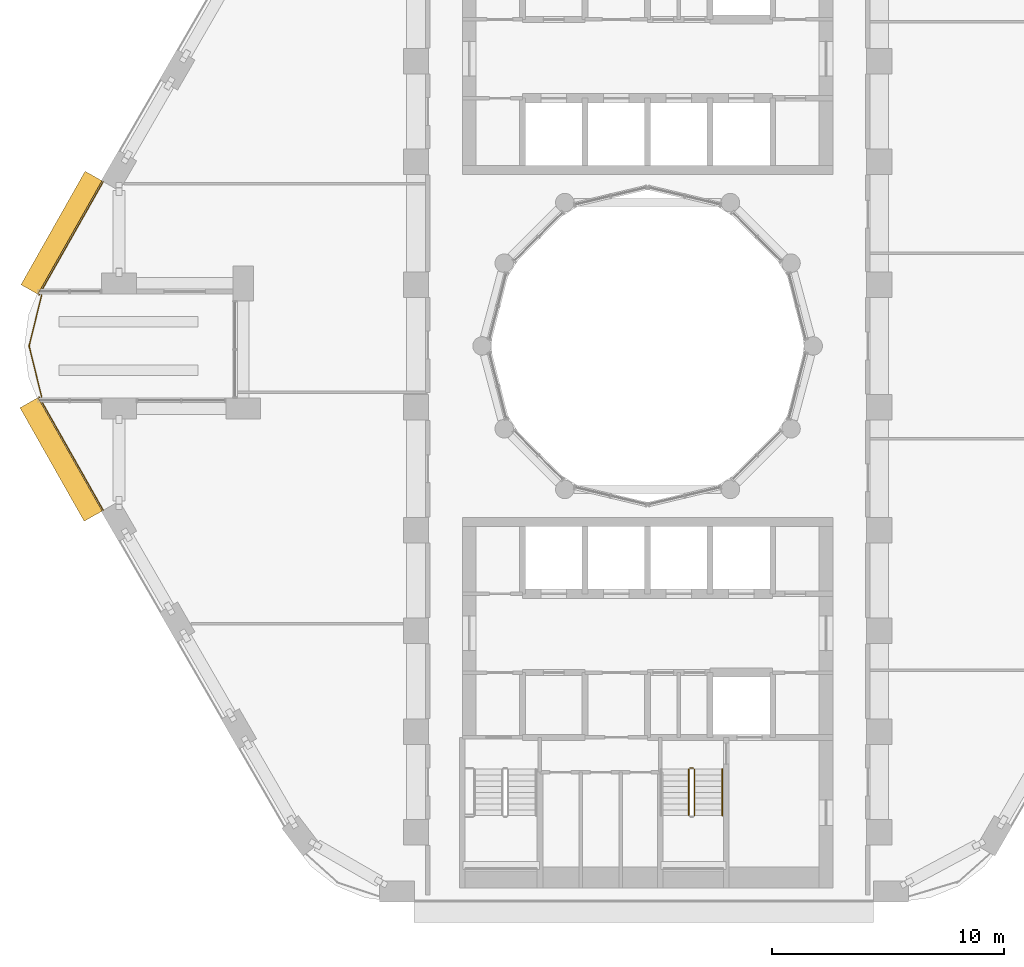
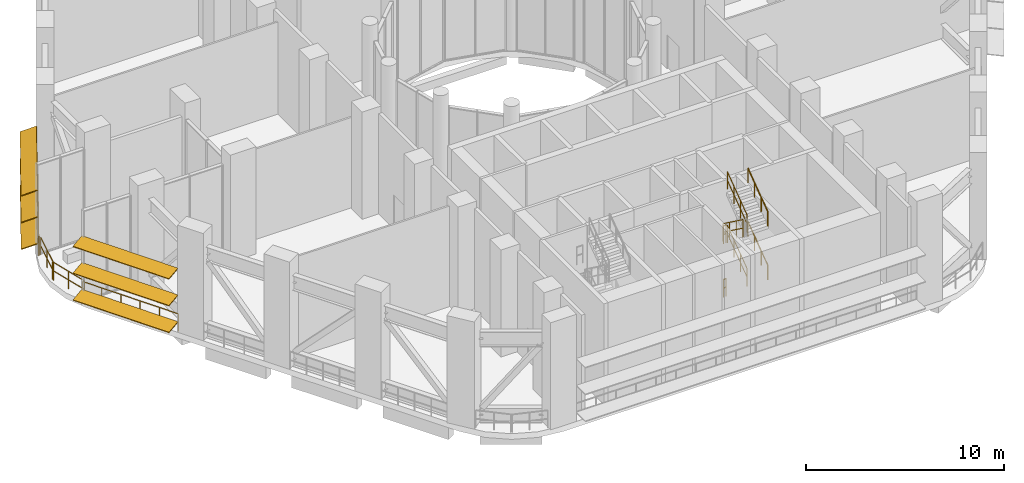
# One storey, part 17 of 20: 11 railings, 6 shading devices.
"""IFC4 building model written with IfcOpenShell, lengths in metres."""

from ifc_helpers import new_model, si_unit, direction, frame, origin, origin_2d, place, context, subcontext, project, spatial, rectangle, circle, extrude, material, material_profile, profile_set, type_object, element, save


model = new_model("IFC4")

# Units and contexts
model_context = context("Model", 3, precision=1e-05, world=origin(), true_north=direction((0.0, 1.0)))
body_context = subcontext(model_context, "Body", "Model", "MODEL_VIEW")
ifc_project = project(units=[si_unit("LENGTHUNIT", "METRE"), si_unit("AREAUNIT", "SQUARE_METRE"), si_unit("VOLUMEUNIT", "CUBIC_METRE"), si_unit("PLANEANGLEUNIT", "RADIAN"), si_unit("MASSUNIT", "GRAM", prefix="KILO")], contexts=[model_context])

# Site, building, storey
site_placement = place(None, origin())
site = spatial("IfcSite", under=ifc_project, at=site_placement, CompositionType="ELEMENT")
building_placement = place(site_placement, origin())
building = spatial("IfcBuilding", under=site, at=building_placement, Name="Nakaniwa Court", CompositionType="ELEMENT")
storey_placement = place(building_placement, frame((0.0, 0.0, 71.10009765625)))
storey = spatial("IfcBuildingStorey", under=building, at=storey_placement, Name="S1", CompositionType="ELEMENT", Elevation=71.10009765625)

# Railings
ifc_material_1 = material(Name="Black powder-coated steel flat bar balustrade S275", Category="steel")
railing_type_1 = type_object("IfcRailingType", Name="Black metal terrace guard 1100", PredefinedType="GUARDRAIL", material=ifc_material_1)
railing_1_placement = place(storey_placement, frame((56.497314453125, 87.099853515625, 0.0)))
element("IfcRailing", 1, at=railing_1_placement, inside=storey, type_object=railing_type_1, Name="S1 refuge band guard 14", PredefinedType="GUARDRAIL", context=body_context, shape_type="SweptSolid", body=[
    extrude(circle(Radius=0.02392578125, at=origin_2d()), frame((0.0, 0.0, 1.076171875), z_axis=(-0.492363204642, -0.870389840655, 0.0), x_axis=(0.870389840655, -0.492363204642, 0.0)), (0.0, 0.0, 1.0), 5.62646484375),
    extrude(circle(Radius=0.02392578125, at=origin_2d()), frame((0.0, 0.0, 0.550048828125), z_axis=(-0.492363204642, -0.870389840655, 0.0), x_axis=(0.870389840655, -0.492363204642, 0.0)), (0.0, 0.0, 1.0), 5.62646484375),
    extrude(circle(Radius=0.02099609375, at=origin_2d()), origin(), (0.0, 0.0, 1.0), 1.052001953125),
    extrude(circle(Radius=0.02099609375, at=origin_2d()), frame((-0.553955078125, -0.9794921875, 0.0)), (0.0, 0.0, 1.0), 1.052001953125),
    extrude(circle(Radius=0.02099609375, at=origin_2d()), frame((-1.108154296875, -1.958984375, 0.0)), (0.0, 0.0, 1.0), 1.052001953125),
    extrude(circle(Radius=0.02099609375, at=origin_2d()), frame((-1.662109375, -2.938232421875, 0.0)), (0.0, 0.0, 1.0), 1.052001953125),
    extrude(circle(Radius=0.02099609375, at=origin_2d()), frame((-2.21630859375, -3.917724609375, 0.0)), (0.0, 0.0, 1.0), 1.052001953125),
    extrude(circle(Radius=0.02099609375, at=origin_2d()), frame((-2.770263671875, -4.897216796875, 0.0)), (0.0, 0.0, 1.0), 1.052001953125),
])
railing_2_placement = place(storey_placement, frame((53.72705078125, 77.79736328125, 0.0)))
element("IfcRailing", 2, at=railing_2_placement, inside=storey, type_object=railing_type_1, Name="S1 refuge band guard 20", PredefinedType="GUARDRAIL", context=body_context, shape_type="SweptSolid", body=[
    extrude(circle(Radius=0.02392578125, at=origin_2d()), frame((0.0, 0.0, 1.076171875), z_axis=(0.492363204642, -0.870389840655, 0.0), x_axis=(0.870389840655, 0.492363204642, 0.0)), (0.0, 0.0, 1.0), 5.62646484375),
    extrude(circle(Radius=0.02392578125, at=origin_2d()), frame((0.0, 0.0, 0.550048828125), z_axis=(0.492363204642, -0.870389840655, 0.0), x_axis=(0.870389840655, 0.492363204642, 0.0)), (0.0, 0.0, 1.0), 5.62646484375),
    extrude(circle(Radius=0.02099609375, at=origin_2d()), origin(), (0.0, 0.0, 1.0), 1.052001953125),
    extrude(circle(Radius=0.02099609375, at=origin_2d()), frame((0.553955078125, -0.9794921875, 0.0)), (0.0, 0.0, 1.0), 1.052001953125),
    extrude(circle(Radius=0.02099609375, at=origin_2d()), frame((1.108154296875, -1.958984375, 0.0)), (0.0, 0.0, 1.0), 1.052001953125),
    extrude(circle(Radius=0.02099609375, at=origin_2d()), frame((1.662109375, -2.938232421875, 0.0)), (0.0, 0.0, 1.0), 1.052001953125),
    extrude(circle(Radius=0.02099609375, at=origin_2d()), frame((2.21630859375, -3.917724609375, 0.0)), (0.0, 0.0, 1.0), 1.052001953125),
    extrude(circle(Radius=0.02099609375, at=origin_2d()), frame((2.770263671875, -4.897216796875, 0.0)), (0.0, 0.0, 1.0), 1.052001953125),
])
railing_3_placement = place(storey_placement, frame((53.8359375, 82.20263671875, 0.0)))
element("IfcRailing", 3, at=railing_3_placement, inside=storey, type_object=railing_type_1, Name="S1 sky garden terrace 1 guard 1", PredefinedType="GUARDRAIL", context=body_context, shape_type="SweptSolid", body=[
    extrude(circle(Radius=0.02392578125, at=origin_2d()), frame((0.0, 0.0, 1.076171875), z_axis=(-0.238169012128, -0.971223723795, 0.0), x_axis=(0.971223723795, -0.238169012128, 0.0)), (0.0, 0.0, 1.0), 2.316650390625),
    extrude(circle(Radius=0.02392578125, at=origin_2d()), frame((0.0, 0.0, 0.550048828125), z_axis=(-0.238169012128, -0.971223723795, 0.0), x_axis=(0.971223723795, -0.238169012128, 0.0)), (0.0, 0.0, 1.0), 2.316650390625),
    extrude(circle(Radius=0.02099609375, at=origin_2d()), origin(), (0.0, 0.0, 1.0), 1.052001953125),
    extrude(circle(Radius=0.02099609375, at=origin_2d()), frame((-0.27587890625, -1.125, 0.0)), (0.0, 0.0, 1.0), 1.052001953125),
    extrude(circle(Radius=0.02099609375, at=origin_2d()), frame((-0.5517578125, -2.25, 0.0)), (0.0, 0.0, 1.0), 1.052001953125),
])
railing_4_placement = place(storey_placement, frame((53.2841796875, 80.04736328125, 0.0)))
element("IfcRailing", 4, at=railing_4_placement, inside=storey, type_object=railing_type_1, Name="S1 sky garden terrace 1 guard 2", PredefinedType="GUARDRAIL", context=body_context, shape_type="SweptSolid", body=[
    extrude(circle(Radius=0.02392578125, at=origin_2d()), frame((0.0, 0.0, 1.076171875), z_axis=(0.238169012128, -0.971223723795, 0.0), x_axis=(0.971223723795, 0.238169012128, 0.0)), (0.0, 0.0, 1.0), 2.316650390625),
    extrude(circle(Radius=0.02392578125, at=origin_2d()), frame((0.0, 0.0, 0.550048828125), z_axis=(0.238169012128, -0.971223723795, 0.0), x_axis=(0.971223723795, 0.238169012128, 0.0)), (0.0, 0.0, 1.0), 2.316650390625),
    extrude(circle(Radius=0.02099609375, at=origin_2d()), origin(), (0.0, 0.0, 1.0), 1.052001953125),
    extrude(circle(Radius=0.02099609375, at=origin_2d()), frame((0.27587890625, -1.125, 0.0)), (0.0, 0.0, 1.0), 1.052001953125),
    extrude(circle(Radius=0.02099609375, at=origin_2d()), frame((0.5517578125, -2.25, 0.0)), (0.0, 0.0, 1.0), 1.052001953125),
])

# Shading devices
ifc_material_2 = material(Name="Perforated charcoal ceramic louvre blade")
ifc_material_profile = material_profile(ifc_material_2, rectangle(XDim=0.89990234375, YDim=0.050048828125, at=origin_2d()), Name="Perforated ceramic louvre blade")
ifc_profile_set = profile_set([ifc_material_profile], Name="Perforated charcoal ceramic louvre blade")
shading_device_type = type_object("IfcShadingDeviceType", Name="Perforated ceramic louvre blade", PredefinedType="JALOUSIE", material=ifc_profile_set)
for number, where, z_axis, x_axis, name in (
    (5, (56.083251953125, 87.333984375, 0.5498046875), (-0.492363204642, -0.870389840655, 0.0), (0.804715474874, -0.455212447948, 0.38107037635), "S1 perforated ceramic louvre blade s14 1"),
    (6, (56.083251953125, 87.333984375, 2.199951171875), (-0.492363204642, -0.870389840655, 0.0), (0.804715474874, -0.455212447948, 0.38107037635), "S1 perforated ceramic louvre blade s14 2"),
    (7, (56.083251953125, 87.333984375, 3.849853515625), (-0.492363204642, -0.870389840655, 0.0), (0.804715474874, -0.455212447948, 0.38107037635), "S1 perforated ceramic louvre blade s14 3"),
    (8, (53.292236328125, 77.551513671875, 0.5498046875), (0.492363204642, -0.870389840655, 0.0), (0.862743936134, 0.488038059889, 0.132256390257), "S1 perforated ceramic louvre blade s20 1"),
    (9, (53.292236328125, 77.551513671875, 2.199951171875), (0.492363204642, -0.870389840655, 0.0), (0.862743936134, 0.488038059889, 0.132256390257), "S1 perforated ceramic louvre blade s20 2"),
    (10, (53.292236328125, 77.551513671875, 3.849853515625), (0.492363204642, -0.870389840655, 0.0), (0.862743936134, 0.488038059889, 0.132256390257), "S1 perforated ceramic louvre blade s20 3"),
):
    element("IfcShadingDevice", number, at=place(storey_placement, frame(where, z_axis=z_axis, x_axis=x_axis)), inside=storey, type_object=shading_device_type, Name=name, PredefinedType="JALOUSIE", context=body_context, shape_type="SweptSolid", body=[
        extrude(rectangle(XDim=0.89990234375, YDim=0.050048828125, at=origin_2d()), origin(), (0.0, 0.0, 1.0), 5.62646484375),
    ])

# Railings
ifc_material_3 = material(Name="Black powder coated steel guard", Category="steel")
railing_type_2 = type_object("IfcRailingType", Name="Stair guard 1100", PredefinedType="GUARDRAIL", material=ifc_material_3)
railing_5_placement = place(storey_placement, frame((82.02490234375, 59.72509765625, 1.833251953125)))
element("IfcRailing", 11, at=railing_5_placement, inside=storey, type_object=railing_type_2, Name="S1 ST4 stair guard 3", PredefinedType="GUARDRAIL", context=body_context, shape_type="SweptSolid", body=[
    extrude(circle(Radius=0.02392578125, at=origin_2d()), frame((0.0, 0.0, 1.076171875), z_axis=(0.0, 0.806426902644, 0.591333789573), x_axis=(-1.0, 0.0, 0.0)), (0.0, 0.0, 1.0), 2.47998046875),
    extrude(circle(Radius=0.02392578125, at=origin_2d()), frame((0.0, 0.0, 0.550048828125), z_axis=(0.0, 0.806426902644, 0.591333789573), x_axis=(-1.0, 0.0, 0.0)), (0.0, 0.0, 1.0), 2.47998046875),
    extrude(circle(Radius=0.02099609375, at=origin_2d()), origin(), (0.0, 0.0, 1.0), 1.052001953125),
    extrude(circle(Radius=0.02099609375, at=origin_2d()), frame((0.0, 0.666748046875, 0.48876953125)), (0.0, 0.0, 1.0), 1.052001953125),
    extrude(circle(Radius=0.02099609375, at=origin_2d()), frame((0.0, 1.333251953125, 0.977783203125)), (0.0, 0.0, 1.0), 1.052001953125),
    extrude(circle(Radius=0.02099609375, at=origin_2d()), frame((0.0, 2.0, 1.466552734375)), (0.0, 0.0, 1.0), 1.052001953125),
])
railing_6_placement = place(storey_placement, frame((81.824951171875, 61.77490234375, 3.2998046875)))
element("IfcRailing", 12, at=railing_6_placement, inside=storey, type_object=railing_type_2, Name="S1 ST4 stair guard 4", PredefinedType="GUARDRAIL", context=body_context, shape_type="SweptSolid", body=[
    extrude(circle(Radius=0.02392578125, at=origin_2d()), frame((0.0, 0.0, 1.076171875), z_axis=(1.0, 0.0, 0.0), x_axis=(0.0, 1.0, 0.0)), (0.0, 0.0, 1.0), 0.150146484375),
    extrude(circle(Radius=0.02392578125, at=origin_2d()), frame((0.0, 0.0, 0.550048828125), z_axis=(1.0, 0.0, 0.0), x_axis=(0.0, 1.0, 0.0)), (0.0, 0.0, 1.0), 0.150146484375),
    extrude(circle(Radius=0.02099609375, at=origin_2d()), origin(), (0.0, 0.0, 1.0), 1.052001953125),
    extrude(circle(Radius=0.02099609375, at=origin_2d()), frame((0.150146484375, 0.0, 0.0)), (0.0, 0.0, 1.0), 1.052001953125),
])
railing_7_placement = place(storey_placement, frame((81.77490234375, 61.72509765625, 3.483154296875)))
element("IfcRailing", 13, at=railing_7_placement, inside=storey, type_object=railing_type_2, Name="S1 ST4 stair guard 5", PredefinedType="GUARDRAIL", context=body_context, shape_type="SweptSolid", body=[
    extrude(circle(Radius=0.02392578125, at=origin_2d()), frame((0.0, 0.0, 1.076171875), z_axis=(0.0, -0.806379959628, 0.591397802423), x_axis=(1.0, 0.0, 0.0)), (0.0, 0.0, 1.0), 2.480224609375),
    extrude(circle(Radius=0.02392578125, at=origin_2d()), frame((0.0, 0.0, 0.550048828125), z_axis=(0.0, -0.806379959628, 0.591397802423), x_axis=(1.0, 0.0, 0.0)), (0.0, 0.0, 1.0), 2.480224609375),
    extrude(circle(Radius=0.02099609375, at=origin_2d()), origin(), (0.0, 0.0, 1.0), 1.052001953125),
    extrude(circle(Radius=0.02099609375, at=origin_2d()), frame((0.0, -0.666748046875, 0.489013671875)), (0.0, 0.0, 1.0), 1.052001953125),
    extrude(circle(Radius=0.02099609375, at=origin_2d()), frame((0.0, -1.333251953125, 0.977783203125)), (0.0, 0.0, 1.0), 1.052001953125),
    extrude(circle(Radius=0.02099609375, at=origin_2d()), frame((0.0, -2.0, 1.466796875)), (0.0, 0.0, 1.0), 1.052001953125),
])
railing_8_placement = place(storey_placement, frame((82.02490234375, 59.72509765625, 5.13330078125)))
element("IfcRailing", 14, at=railing_8_placement, inside=storey, type_object=railing_type_2, Name="S1 ST4 stair guard 7", PredefinedType="GUARDRAIL", context=body_context, shape_type="SweptSolid", body=[
    extrude(circle(Radius=0.02392578125, at=origin_2d()), frame((0.0, 0.0, 1.076171875), z_axis=(0.0, 0.806426902644, 0.591333789573), x_axis=(-1.0, 0.0, 0.0)), (0.0, 0.0, 1.0), 2.47998046875),
    extrude(circle(Radius=0.02392578125, at=origin_2d()), frame((0.0, 0.0, 0.550048828125), z_axis=(0.0, 0.806426902644, 0.591333789573), x_axis=(-1.0, 0.0, 0.0)), (0.0, 0.0, 1.0), 2.47998046875),
    extrude(circle(Radius=0.02099609375, at=origin_2d()), origin(), (0.0, 0.0, 1.0), 1.052001953125),
    extrude(circle(Radius=0.02099609375, at=origin_2d()), frame((0.0, 0.666748046875, 0.48876953125)), (0.0, 0.0, 1.0), 1.052001953125),
    extrude(circle(Radius=0.02099609375, at=origin_2d()), frame((0.0, 1.333251953125, 0.977783203125)), (0.0, 0.0, 1.0), 1.052001953125),
    extrude(circle(Radius=0.02099609375, at=origin_2d()), frame((0.0, 2.0, 1.466552734375)), (0.0, 0.0, 1.0), 1.052001953125),
])
railing_9_placement = place(storey_placement, frame((81.824951171875, 61.77490234375, 0.0)))
element("IfcRailing", 15, at=railing_9_placement, inside=storey, type_object=railing_type_2, Name="S1 ST4 stair guard 8", PredefinedType="GUARDRAIL", context=body_context, shape_type="SweptSolid", body=[
    extrude(circle(Radius=0.02392578125, at=origin_2d()), frame((0.0, 0.0, 1.076171875), z_axis=(1.0, 0.0, 0.0), x_axis=(0.0, 1.0, 0.0)), (0.0, 0.0, 1.0), 0.150146484375),
    extrude(circle(Radius=0.02392578125, at=origin_2d()), frame((0.0, 0.0, 0.550048828125), z_axis=(1.0, 0.0, 0.0), x_axis=(0.0, 1.0, 0.0)), (0.0, 0.0, 1.0), 0.150146484375),
    extrude(circle(Radius=0.02099609375, at=origin_2d()), origin(), (0.0, 0.0, 1.0), 1.052001953125),
    extrude(circle(Radius=0.02099609375, at=origin_2d()), frame((0.150146484375, 0.0, 0.0)), (0.0, 0.0, 1.0), 1.052001953125),
])
ifc_material_4 = material(Name="Black powder coated steel handrail", Category="steel")
railing_type_3 = type_object("IfcRailingType", Name="Stair handrail 900", PredefinedType="HANDRAIL", material=ifc_material_4)
for number, where, name in (
    (16, (83.22509765625, 59.72509765625, 1.833251953125), "S1 ST4 stair handrail 2"),
    (17, (83.22509765625, 59.72509765625, 5.13330078125), "S1 ST4 stair handrail 4"),
):
    element("IfcRailing", number, at=place(storey_placement, frame(where)), inside=storey, type_object=railing_type_3, Name=name, PredefinedType="HANDRAIL", context=body_context, shape_type="SweptSolid", body=[
        extrude(circle(Radius=0.02392578125, at=origin_2d()), frame((0.0, 0.0, 0.8759765625), z_axis=(0.0, 0.806426902644, 0.591333789573), x_axis=(-1.0, 0.0, 0.0)), (0.0, 0.0, 1.0), 2.47998046875),
        extrude(circle(Radius=0.02099609375, at=origin_2d()), origin(), (0.0, 0.0, 1.0), 0.851806640625),
        extrude(circle(Radius=0.02099609375, at=origin_2d()), frame((0.0, 0.666748046875, 0.48876953125)), (0.0, 0.0, 1.0), 0.851806640625),
        extrude(circle(Radius=0.02099609375, at=origin_2d()), frame((0.0, 1.333251953125, 0.977783203125)), (0.0, 0.0, 1.0), 0.851806640625),
        extrude(circle(Radius=0.02099609375, at=origin_2d()), frame((0.0, 2.0, 1.466552734375)), (0.0, 0.0, 1.0), 0.851806640625),
    ])

save(model, "model.ifc")
